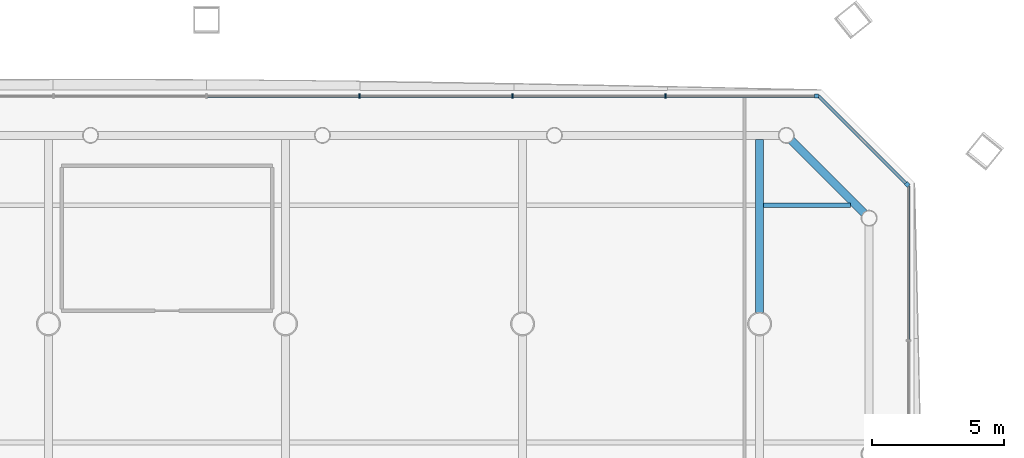
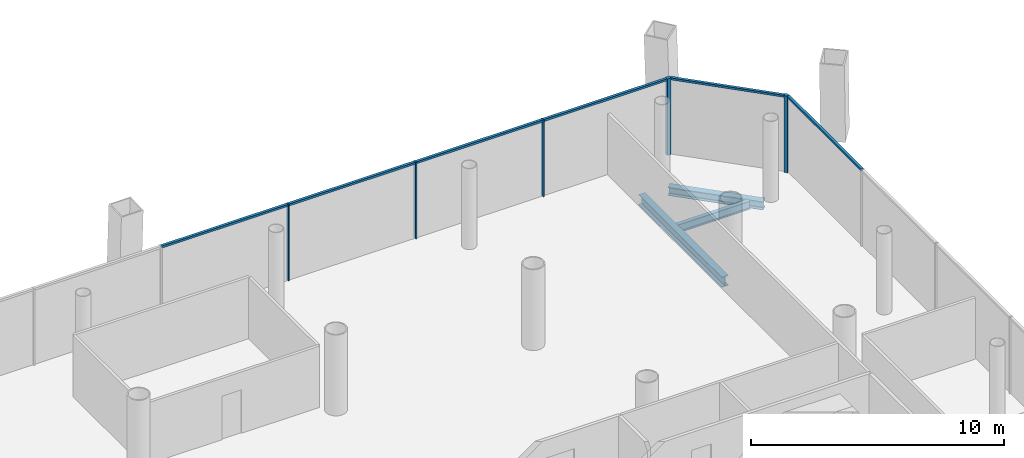
# One storey, part 11 of 21: 11 members, 3 beams, 3 elements without a shape of their own.
"""IFC4 building model written with IfcOpenShell, lengths in metres."""

from ifc_helpers import new_model, si_unit, direction, frame, origin, origin_2d, place, context, subcontext, project, spatial, rectangle, i_section, extrude, material, material_profile, profile_set, type_object, element, aggregate, save


model = new_model("IFC4")

# Units and contexts
model_context = context("Model", 3, precision=1e-05, world=origin(), true_north=direction((0.0, 1.0)))
body_context = subcontext(model_context, "Body", "Model", "MODEL_VIEW")
ifc_project = project(units=[si_unit("LENGTHUNIT", "METRE"), si_unit("AREAUNIT", "SQUARE_METRE"), si_unit("VOLUMEUNIT", "CUBIC_METRE"), si_unit("PLANEANGLEUNIT", "RADIAN"), si_unit("MASSUNIT", "GRAM", prefix="KILO")], contexts=[model_context])

# Site, building, storey
site_placement = place(None, origin())
site = spatial("IfcSite", under=ifc_project, at=site_placement, CompositionType="ELEMENT")
building_placement = place(site_placement, origin())
building = spatial("IfcBuilding", under=site, at=building_placement, Name="Tskaro Facet Tower", CompositionType="ELEMENT")
storey_placement = place(building_placement, frame((0.0, 0.0, 38.10009765625)))
storey = spatial("IfcBuildingStorey", under=building, at=storey_placement, Name="L08", CompositionType="ELEMENT", Elevation=38.10009765625)

# Curtain wall, member
ifc_material_1 = material(Name="Bronze anodised aluminium 6063-T6", Category="aluminium")
curtain_wall_type = type_object("IfcCurtainWallType", Name="Bronze office curtain wall (FW1)", PredefinedType="NOTDEFINED", material=ifc_material_1)
curtain_wall_1_placement = place(storey_placement, origin())
curtain_wall_1 = element("IfcCurtainWall", 1, at=curtain_wall_1_placement, inside=storey, type_object=curtain_wall_type, Name="FW1 north-east facet L08", PredefinedType="NOTDEFINED")
ifc_material_profile_1 = material_profile(ifc_material_1, rectangle(XDim=0.159912109375, YDim=0.159912109375, at=origin_2d()), Name="Corner post 160x160")
ifc_profile_set_1 = profile_set([ifc_material_profile_1], Name="Bronze anodised aluminium 6063-T6")
member_type_1 = type_object("IfcMemberType", Name="FW1 bronze corner post 160x160", PredefinedType="MULLION", material=ifc_profile_set_1)
member_1_placement = place(storey_placement, frame((23.597412109375, 23.29150390625, 0.0), z_axis=(0.0, 0.0, 1.0), x_axis=(-0.707106781187, 0.707106781187, 0.0)))
member_1 = element("IfcMember", 2, at=member_1_placement, type_object=member_type_1, Name="FW1 north-east corner post", PredefinedType="MULLION", context=body_context, shape_type="SweptSolid", body=[
    extrude(rectangle(XDim=0.159912109375, YDim=0.159912109375, at=origin_2d()), origin(), (0.0, 0.0, 1.0), 3.699951171875),
])

# Curtain wall, members
curtain_wall_2_placement = place(storey_placement, origin())
curtain_wall_2 = element("IfcCurtainWall", 3, at=curtain_wall_2_placement, inside=storey, type_object=curtain_wall_type, Name="FW1 north facet L08", PredefinedType="NOTDEFINED")
member_2_placement = place(storey_placement, frame((20.155029296875, 26.654052734375, 0.0), z_axis=(0.0, 0.0, 1.0), x_axis=(-1.0, 0.0, 0.0)))
member_2 = element("IfcMember", 4, at=member_2_placement, type_object=member_type_1, Name="FW1 north corner post", PredefinedType="MULLION", context=body_context, shape_type="SweptSolid", body=[
    extrude(rectangle(XDim=0.159912109375, YDim=0.159912109375, at=origin_2d()), origin(), (0.0, 0.0, 1.0), 3.699951171875),
])
ifc_material_profile_2 = material_profile(ifc_material_1, rectangle(XDim=0.06005859375, YDim=0.159912109375, at=origin_2d()), Name="Mullion 60x160")
ifc_profile_set_2 = profile_set([ifc_material_profile_2], Name="Bronze anodised aluminium 6063-T6")
member_type_2 = type_object("IfcMemberType", Name="FW1 bronze mullion 60x160", PredefinedType="MULLION", material=ifc_profile_set_2)
member_3_placement = place(storey_placement, frame((14.42626953125, 26.654052734375, 0.0), z_axis=(0.0, 0.0, 1.0), x_axis=(-1.0, 0.0, 0.0)))
member_3 = element("IfcMember", 5, at=member_3_placement, type_object=member_type_2, Name="FW1 north mullion 1", PredefinedType="MULLION", context=body_context, shape_type="SweptSolid", body=[
    extrude(rectangle(XDim=0.06005859375, YDim=0.159912109375, at=origin_2d()), origin(), (0.0, 0.0, 1.0), 3.699951171875),
])
member_4_placement = place(storey_placement, frame((8.617431640625, 26.654052734375, 0.0), z_axis=(0.0, 0.0, 1.0), x_axis=(-1.0, 0.0, 0.0)))
member_4 = element("IfcMember", 6, at=member_4_placement, type_object=member_type_2, Name="FW1 north mullion 2", PredefinedType="MULLION", context=body_context, shape_type="SweptSolid", body=[
    extrude(rectangle(XDim=0.06005859375, YDim=0.159912109375, at=origin_2d()), origin(), (0.0, 0.0, 1.0), 3.699951171875),
])
member_5_placement = place(storey_placement, frame((2.808837890625, 26.654052734375, 0.0), z_axis=(0.0, 0.0, 1.0), x_axis=(-1.0, 0.0, 0.0)))
member_5 = element("IfcMember", 7, at=member_5_placement, type_object=member_type_2, Name="FW1 north mullion 3", PredefinedType="MULLION", context=body_context, shape_type="SweptSolid", body=[
    extrude(rectangle(XDim=0.06005859375, YDim=0.159912109375, at=origin_2d()), origin(), (0.0, 0.0, 1.0), 3.699951171875),
])

# Curtain wall, member
curtain_wall_3_placement = place(storey_placement, origin())
curtain_wall_3 = element("IfcCurtainWall", 8, at=curtain_wall_3_placement, inside=storey, type_object=curtain_wall_type, Name="FW1 east facet L08", PredefinedType="NOTDEFINED")
ifc_material_profile_3 = material_profile(ifc_material_1, rectangle(XDim=0.1201171875, YDim=0.10009765625, at=origin_2d()), Name="Transom 120x100")
ifc_profile_set_3 = profile_set([ifc_material_profile_3], Name="Bronze anodised aluminium 6063-T6")
member_type_3 = type_object("IfcMemberType", Name="FW1 bronze transom 120x100", PredefinedType="USERDEFINED", material=ifc_profile_set_3)
member_6_placement = place(storey_placement, frame((23.654052734375, 17.396484375, 3.64990234375), z_axis=(0.0, 1.0, 0.0), x_axis=(-1.0, 0.0, 0.0)))
member_6 = element("IfcMember", 9, at=member_6_placement, type_object=member_type_3, Name="FW1 east transom 8.1", ObjectType="TRANSOM", PredefinedType="USERDEFINED", context=body_context, shape_type="SweptSolid", body=[
    extrude(rectangle(XDim=0.1201171875, YDim=0.10009765625, at=origin_2d()), origin(), (0.0, 0.0, 1.0), 5.838623046875),
])
aggregate(curtain_wall_3, [member_6])

# Member
member_7_placement = place(storey_placement, frame((23.540771484375, 23.34814453125, 3.64990234375), z_axis=(-0.707080669897, 0.707132891512, 0.0), x_axis=(-0.707132891512, -0.707080669897, 0.0)))
member_7 = element("IfcMember", 10, at=member_7_placement, type_object=member_type_3, Name="FW1 north-east transom 1.1", ObjectType="TRANSOM", PredefinedType="USERDEFINED", context=body_context, shape_type="SweptSolid", body=[
    extrude(rectangle(XDim=0.1201171875, YDim=0.10009765625, at=origin_2d()), origin(), (0.0, 0.0, 1.0), 4.675048828125),
])

aggregate(curtain_wall_1, [member_1, member_7])

member_8_placement = place(storey_placement, frame((20.074951171875, 26.654052734375, 3.64990234375), z_axis=(-1.0, 0.0, 0.0), x_axis=(0.0, -1.0, 0.0)))
member_8 = element("IfcMember", 11, at=member_8_placement, type_object=member_type_3, Name="FW1 north transom 1.1", ObjectType="TRANSOM", PredefinedType="USERDEFINED", context=body_context, shape_type="SweptSolid", body=[
    extrude(rectangle(XDim=0.1201171875, YDim=0.10009765625, at=origin_2d()), origin(), (0.0, 0.0, 1.0), 5.61865234375),
])

member_9_placement = place(storey_placement, frame((14.396240234375, 26.654052734375, 3.64990234375), z_axis=(-1.0, 0.0, 0.0), x_axis=(0.0, -1.0, 0.0)))
member_9 = element("IfcMember", 12, at=member_9_placement, type_object=member_type_3, Name="FW1 north transom 2.1", ObjectType="TRANSOM", PredefinedType="USERDEFINED", context=body_context, shape_type="SweptSolid", body=[
    extrude(rectangle(XDim=0.1201171875, YDim=0.10009765625, at=origin_2d()), origin(), (0.0, 0.0, 1.0), 5.748779296875),
])

member_10_placement = place(storey_placement, frame((8.58740234375, 26.654052734375, 3.64990234375), z_axis=(-1.0, 0.0, 0.0), x_axis=(0.0, -1.0, 0.0)))
member_10 = element("IfcMember", 13, at=member_10_placement, type_object=member_type_3, Name="FW1 north transom 3.1", ObjectType="TRANSOM", PredefinedType="USERDEFINED", context=body_context, shape_type="SweptSolid", body=[
    extrude(rectangle(XDim=0.1201171875, YDim=0.10009765625, at=origin_2d()), origin(), (0.0, 0.0, 1.0), 5.74853515625),
])

member_11_placement = place(storey_placement, frame((2.77880859375, 26.654052734375, 3.64990234375), z_axis=(-1.0, 0.0, 0.0), x_axis=(0.0, -1.0, 0.0)))
member_11 = element("IfcMember", 14, at=member_11_placement, type_object=member_type_3, Name="FW1 north transom 4.1", ObjectType="TRANSOM", PredefinedType="USERDEFINED", context=body_context, shape_type="SweptSolid", body=[
    extrude(rectangle(XDim=0.1201171875, YDim=0.10009765625, at=origin_2d()), origin(), (0.0, 0.0, 1.0), 5.748779296875),
])

aggregate(curtain_wall_2, [member_2, member_3, member_4, member_5, member_8, member_9, member_10, member_11])

# Beams
ifc_material_2 = material(Name="Steel S355J2", Category="steel")
ifc_material_profile_4 = material_profile(ifc_material_2, i_section(OverallWidth=0.300048828125, OverallDepth=0.39990234375, WebThickness=0.013427734375, FlangeThickness=0.02392578125, FilletRadius=0.027099609375, at=origin_2d()), Name="HE 400 B")
ifc_profile_set_4 = profile_set([ifc_material_profile_4], Name="Steel S355J2")
beam_type_1 = type_object("IfcBeamType", Name="HE 400 B ring beam", PredefinedType="BEAM", material=ifc_profile_set_4)
beam_1_placement = place(storey_placement, frame((21.962646484375, 22.20654296875, -0.340087890625), z_axis=(-0.707106781187, 0.707106781187, 0.0), x_axis=(-0.707106781187, -0.707106781187, 0.0)))
element("IfcBeam", 15, at=beam_1_placement, inside=storey, type_object=beam_type_1, Name="HE 400 B EB13-1", PredefinedType="BEAM", context=body_context, shape_type="SweptSolid", body=[
    extrude(i_section(OverallWidth=0.300048828125, OverallDepth=0.39990234375, WebThickness=0.013427734375, FlangeThickness=0.02392578125, FilletRadius=0.027099609375, at=origin_2d()), origin(), (0.0, 0.0, 1.0), 3.897705078125),
])
ifc_material_profile_5 = material_profile(ifc_material_2, i_section(OverallWidth=0.300048828125, OverallDepth=0.489990234375, WebThickness=0.011962890625, FlangeThickness=0.02294921875, FilletRadius=0.027099609375, at=origin_2d()), Name="HE 500 A")
ifc_profile_set_5 = profile_set([ifc_material_profile_5], Name="Steel S355J2")
beam_type_2 = type_object("IfcBeamType", Name="HE 500 A girder", PredefinedType="BEAM", material=ifc_profile_set_5)
beam_2_placement = place(storey_placement, frame((18.0, 18.42724609375, -0.385009765625), z_axis=(0.0, 1.0, 0.0), x_axis=(-1.0, 0.0, 0.0)))
element("IfcBeam", 16, at=beam_2_placement, inside=storey, type_object=beam_type_2, Name="HE 500 A GB6-6-1", PredefinedType="BEAM", context=body_context, shape_type="SweptSolid", body=[
    extrude(i_section(OverallWidth=0.300048828125, OverallDepth=0.489990234375, WebThickness=0.011962890625, FlangeThickness=0.02294921875, FilletRadius=0.027099609375, at=origin_2d()), origin(), (0.0, 0.0, 1.0), 6.579833984375),
])
ifc_material_profile_6 = material_profile(ifc_material_2, i_section(OverallWidth=0.179931640625, OverallDepth=0.39990234375, WebThickness=0.008544921875, FlangeThickness=0.013427734375, FilletRadius=0.02099609375, at=origin_2d()), Name="IPE 400")
ifc_profile_set_6 = profile_set([ifc_material_profile_6], Name="Steel S355J2")
beam_type_3 = type_object("IfcBeamType", Name="IPE 400 secondary beam", PredefinedType="BEAM", material=ifc_profile_set_6)
beam_3_placement = place(storey_placement, frame((18.14990234375, 22.5, -0.340087890625), z_axis=(1.0, 0.0, 0.0), x_axis=(0.0, 1.0, 0.0)))
element("IfcBeam", 17, at=beam_3_placement, inside=storey, type_object=beam_type_3, Name="IPE 400 SB6a-6-1", PredefinedType="BEAM", context=body_context, shape_type="SweptSolid", body=[
    extrude(i_section(OverallWidth=0.179931640625, OverallDepth=0.39990234375, WebThickness=0.008544921875, FlangeThickness=0.013427734375, FilletRadius=0.02099609375, at=origin_2d()), origin(), (0.0, 0.0, 1.0), 3.30712890625),
])

save(model, "model.ifc")
